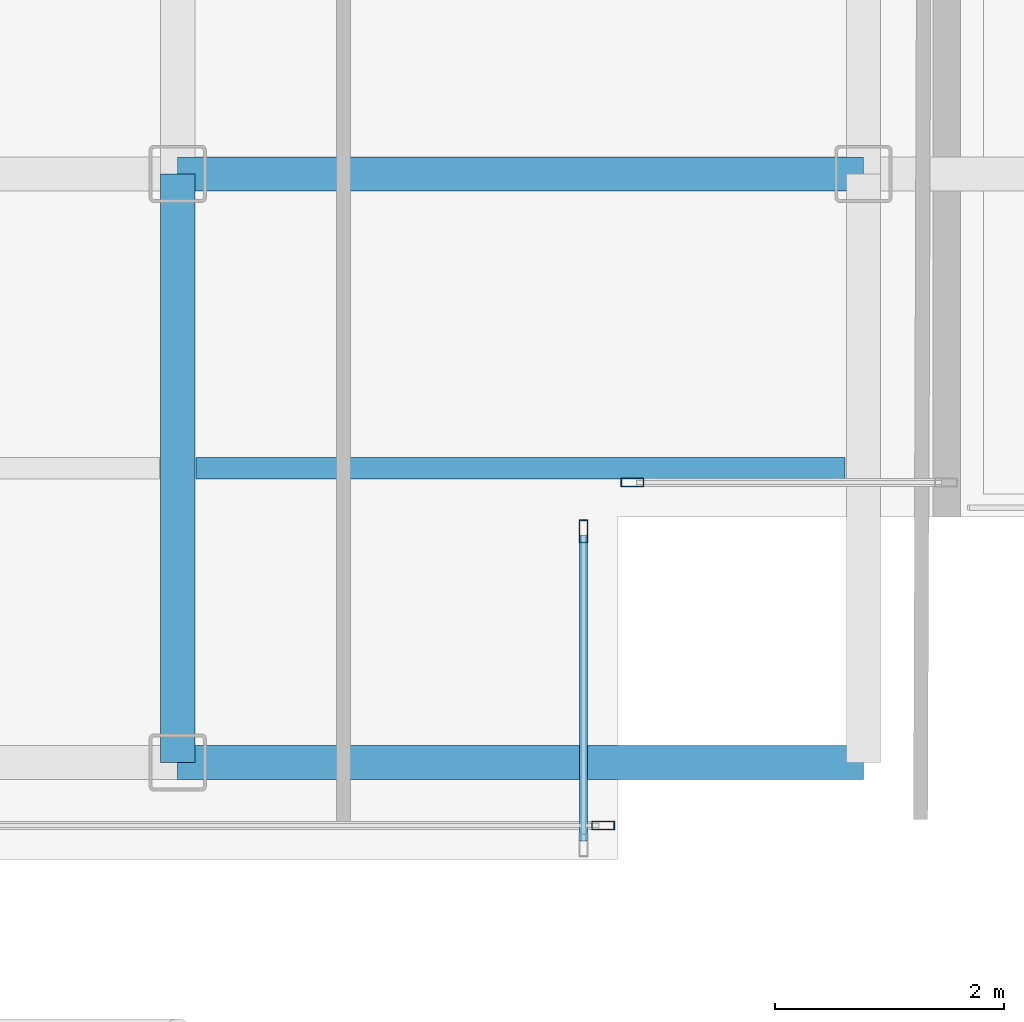
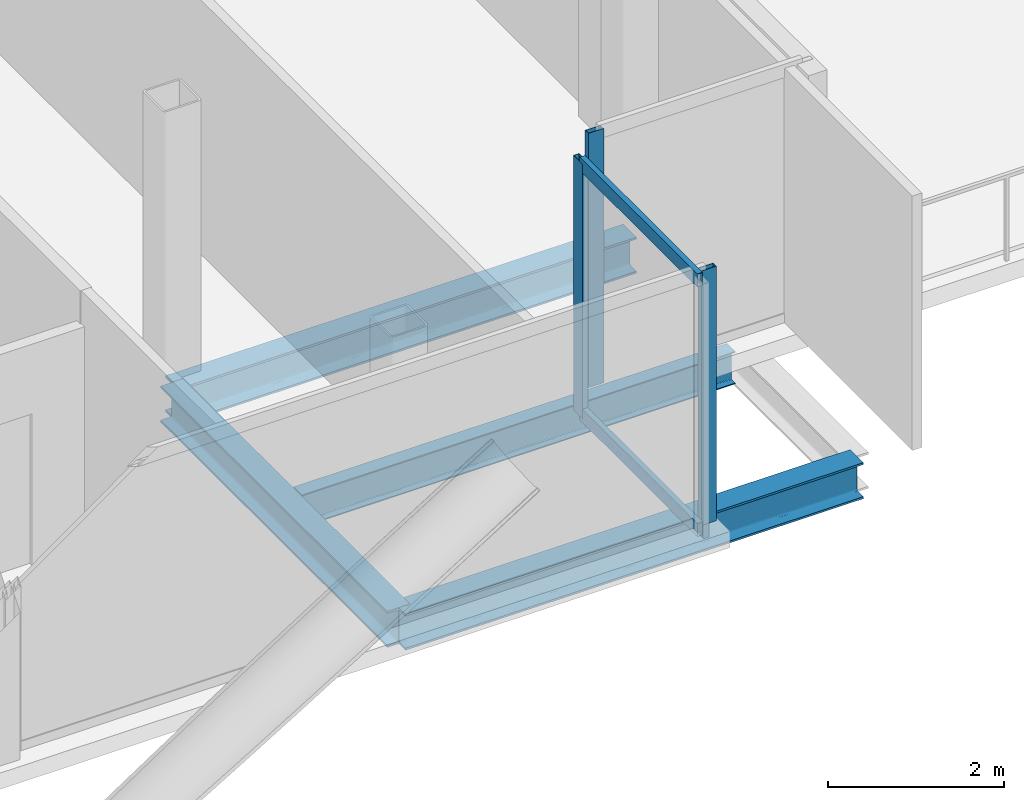
# One storey, part 10 of 26: 5 members, 4 beams, 3 elements without a shape of their own.
"""IFC4 building model written with IfcOpenShell, lengths in metres."""

from ifc_helpers import new_model, si_unit, direction, frame, origin, origin_2d, place, context, subcontext, project, spatial, hollow_rectangle, i_section, extrude, material, layer, layer_set, material_profile, profile_set, type_object, element, aggregate, save


model = new_model("IFC4")

# Units and contexts
model_context = context("Model", 3, precision=1e-05, world=origin(), true_north=direction((0.0, 1.0)))
body_context = subcontext(model_context, "Body", "Model", "MODEL_VIEW")
ifc_project = project(units=[si_unit("LENGTHUNIT", "METRE"), si_unit("AREAUNIT", "SQUARE_METRE"), si_unit("VOLUMEUNIT", "CUBIC_METRE"), si_unit("PLANEANGLEUNIT", "RADIAN"), si_unit("MASSUNIT", "GRAM", prefix="KILO"), si_unit("THERMODYNAMICTEMPERATUREUNIT", "KELVIN"), si_unit("POWERUNIT", "WATT")], contexts=[model_context])

# Site, building, storey
site_placement = place(None, origin())
site = spatial("IfcSite", under=ifc_project, at=site_placement, CompositionType="ELEMENT")
building_placement = place(site_placement, origin())
building = spatial("IfcBuilding", under=site, at=building_placement, Name="Svarakhadi Broadcast Tower", CompositionType="ELEMENT")
storey_placement = place(building_placement, frame((0.0, 0.0, 99.60009765625)))
storey = spatial("IfcBuildingStorey", under=building, at=storey_placement, Name="L23", CompositionType="ELEMENT", Elevation=99.60009765625)

# Beam
ifc_material_1 = material(Name="Steel S355J2 (IS 2062 E350C)", Category="steel")
ifc_material_profile_1 = material_profile(ifc_material_1, i_section(OverallWidth=0.18994140625, OverallDepth=0.449951171875, WebThickness=0.009521484375, FlangeThickness=0.0146484375, FilletRadius=0.02099609375, at=origin_2d()), Name="NPB 450x190x78")
ifc_profile_set_1 = profile_set([ifc_material_profile_1], Name="Steel S355J2 (IS 2062 E350C)")
beam_type_1 = type_object("IfcBeamType", Name="Beam_NPB450", PredefinedType="BEAM", material=ifc_profile_set_1)
beam_1_placement = place(storey_placement, frame((41.31005859375, 3.425048828125, -0.4501953125), z_axis=(1.0, 0.0, 0.0), x_axis=(0.0, 1.0, 0.0)))
element("IfcBeam", 1, at=beam_1_placement, inside=storey, type_object=beam_type_1, Name="L23 Secondary Composite Beam SB023", PredefinedType="BEAM", context=body_context, shape_type="SweptSolid", body=[
    extrude(i_section(OverallWidth=0.18994140625, OverallDepth=0.449951171875, WebThickness=0.009521484375, FlangeThickness=0.0146484375, FilletRadius=0.02099609375, at=origin_2d()), origin(), (0.0, 0.0, 1.0), 5.679931640625),
])

# Curtain wall, member
ifc_material_2 = material(Name="Anodised Bronze Aluminium AA 6063-T6", Category="aluminium")
ifc_layer = layer(ifc_material_2, 0.199951171875)
ifc_layer_set = layer_set([ifc_layer], Name="Anodised Bronze Aluminium AA 6063-T6")
curtain_wall_type = type_object("IfcCurtainWallType", Name="CW_Sys_03", PredefinedType="NOTDEFINED", material=ifc_layer_set)
curtain_wall_1_placement = place(storey_placement, origin())
curtain_wall_1 = element("IfcCurtainWall", 2, at=curtain_wall_1_placement, inside=storey, type_object=curtain_wall_type, Name="L23 Unitised Facade Curtain Wall 12", PredefinedType="NOTDEFINED")
ifc_material_profile_2 = material_profile(ifc_material_2, hollow_rectangle(XDim=0.074951171875, YDim=0.199951171875, WallThickness=0.005615234375, at=origin_2d()), Name="ALU MULLION 200x75x6")
ifc_profile_set_2 = profile_set([ifc_material_profile_2], Name="Anodised Bronze Aluminium AA 6063-T6")
member_type_1 = type_object("IfcMemberType", Name="CW_Sys_03_Mul", PredefinedType="MULLION", material=ifc_profile_set_2)
member_1_placement = place(storey_placement, frame((45.12744140625, 3.300048828125, 0.0), z_axis=(0.0, 0.0, 1.0), x_axis=(0.0, -1.0, 0.0)))
member_1 = element("IfcMember", 3, at=member_1_placement, type_object=member_type_1, Name="CW-03 mullion 2", PredefinedType="MULLION", context=body_context, shape_type="SweptSolid", body=[
    extrude(hollow_rectangle(XDim=0.074951171875, YDim=0.199951171875, WallThickness=0.005615234375, at=origin_2d()), origin(), (0.0, 0.0, 1.0), 3.52490234375),
])
aggregate(curtain_wall_1, [member_1])

curtain_wall_2_placement = place(storey_placement, origin())
curtain_wall_2 = element("IfcCurtainWall", 4, at=curtain_wall_2_placement, inside=storey, type_object=curtain_wall_type, Name="L23 Unitised Facade Curtain Wall 13", PredefinedType="NOTDEFINED")
member_2_placement = place(storey_placement, frame((44.699951171875, 2.87255859375, 0.0), z_axis=(0.0, 0.0, 1.0), x_axis=(1.0, 0.0, 0.0)))
member_2 = element("IfcMember", 5, at=member_2_placement, type_object=member_type_1, Name="CW-03 mullion 1", PredefinedType="MULLION", context=body_context, shape_type="SweptSolid", body=[
    extrude(hollow_rectangle(XDim=0.074951171875, YDim=0.199951171875, WallThickness=0.005615234375, at=origin_2d()), origin(), (0.0, 0.0, 1.0), 3.52490234375),
])

curtain_wall_3_placement = place(storey_placement, origin())
curtain_wall_3 = element("IfcCurtainWall", 6, at=curtain_wall_3_placement, inside=storey, type_object=curtain_wall_type, Name="L23 South Curtain Wall 14 Bay 1", PredefinedType="NOTDEFINED")
member_3_placement = place(storey_placement, frame((44.87255859375, 0.300048828125, 0.0), z_axis=(0.0, 0.0, 1.0), x_axis=(0.0, -1.0, 0.0)))
member_3 = element("IfcMember", 7, at=member_3_placement, type_object=member_type_1, Name="CW-03 mullion 1", PredefinedType="MULLION", context=body_context, shape_type="SweptSolid", body=[
    extrude(hollow_rectangle(XDim=0.074951171875, YDim=0.199951171875, WallThickness=0.005615234375, at=origin_2d()), origin(), (0.0, 0.0, 1.0), 3.52490234375),
])
aggregate(curtain_wall_3, [member_3])

# Member
ifc_material_profile_3 = material_profile(ifc_material_2, hollow_rectangle(XDim=0.070068359375, YDim=0.18505859375, WallThickness=0.0048828125, at=origin_2d()), Name="ALU TRANSOM 185x70x5")
ifc_profile_set_3 = profile_set([ifc_material_profile_3], Name="Anodised Bronze Aluminium AA 6063-T6")
member_type_2 = type_object("IfcMemberType", Name="CW_Sys_03_Trn", PredefinedType="USERDEFINED", material=ifc_profile_set_3)
member_4_placement = place(storey_placement, frame((44.699951171875, 2.8349609375, 0.034912109375), z_axis=(0.0, -1.0, 0.0), x_axis=(1.0, 0.0, 0.0)))
member_4 = element("IfcMember", 8, at=member_4_placement, type_object=member_type_2, Name="CW-03 transom 1.1", ObjectType="TRANSOM", PredefinedType="USERDEFINED", context=body_context, shape_type="SweptSolid", body=[
    extrude(hollow_rectangle(XDim=0.070068359375, YDim=0.18505859375, WallThickness=0.0048828125, at=origin_2d()), origin(), (0.0, 0.0, 1.0), 2.669921875),
])

member_5_placement = place(storey_placement, frame((44.699951171875, 2.8349609375, 3.489990234375), z_axis=(0.0, -1.0, 0.0), x_axis=(1.0, 0.0, 0.0)))
member_5 = element("IfcMember", 9, at=member_5_placement, type_object=member_type_2, Name="CW-03 transom 1.2", ObjectType="TRANSOM", PredefinedType="USERDEFINED", context=body_context, shape_type="SweptSolid", body=[
    extrude(hollow_rectangle(XDim=0.070068359375, YDim=0.18505859375, WallThickness=0.0048828125, at=origin_2d()), origin(), (0.0, 0.0, 1.0), 2.669921875),
])

aggregate(curtain_wall_2, [member_2, member_4, member_5])

# Beams
ifc_material_profile_4 = material_profile(ifc_material_1, i_section(OverallWidth=0.300048828125, OverallDepth=0.5, WebThickness=0.014404296875, FlangeThickness=0.028076171875, FilletRadius=0.027099609375, at=origin_2d()), Name="WPB 500x300x187")
ifc_profile_set_4 = profile_set([ifc_material_profile_4], Name="Steel S355J2 (IS 2062 E350C)")
beam_type_2 = type_object("IfcBeamType", Name="Girder_WPB500", PredefinedType="USERDEFINED", material=ifc_profile_set_4)
for number, where, z_axis, x_axis, name in (
    (10, (41.14990234375, 0.85009765625, -0.47509765625), (1.0, 0.0, 0.0), (0.0, 1.0, 0.0), "L23 Primary E-W Girder G010"),
    (11, (41.14990234375, 6.0, -0.47509765625), (1.0, 0.0, 0.0), (0.0, 1.0, 0.0), "L23 Primary E-W Girder G017"),
):
    element("IfcBeam", number, at=place(storey_placement, frame(where, z_axis=z_axis, x_axis=x_axis)), inside=storey, type_object=beam_type_2, Name=name, ObjectType="GIRDER", PredefinedType="USERDEFINED", context=body_context, shape_type="SweptSolid", body=[
        extrude(i_section(OverallWidth=0.300048828125, OverallDepth=0.5, WebThickness=0.014404296875, FlangeThickness=0.028076171875, FilletRadius=0.027099609375, at=origin_2d()), origin(), (0.0, 0.0, 1.0), 6.0),
    ])
beam_2_placement = place(storey_placement, frame((41.14990234375, 0.85009765625, -0.47509765625), z_axis=(0.0, 1.0, 0.0), x_axis=(-1.0, 0.0, 0.0)))
element("IfcBeam", 12, at=beam_2_placement, inside=storey, type_object=beam_type_2, Name="L23 Primary N-S Girder G073", ObjectType="GIRDER", PredefinedType="USERDEFINED", context=body_context, shape_type="SweptSolid", body=[
    extrude(i_section(OverallWidth=0.300048828125, OverallDepth=0.5, WebThickness=0.014404296875, FlangeThickness=0.028076171875, FilletRadius=0.027099609375, at=origin_2d()), origin(), (0.0, 0.0, 1.0), 5.14990234375),
])

save(model, "model.ifc")
